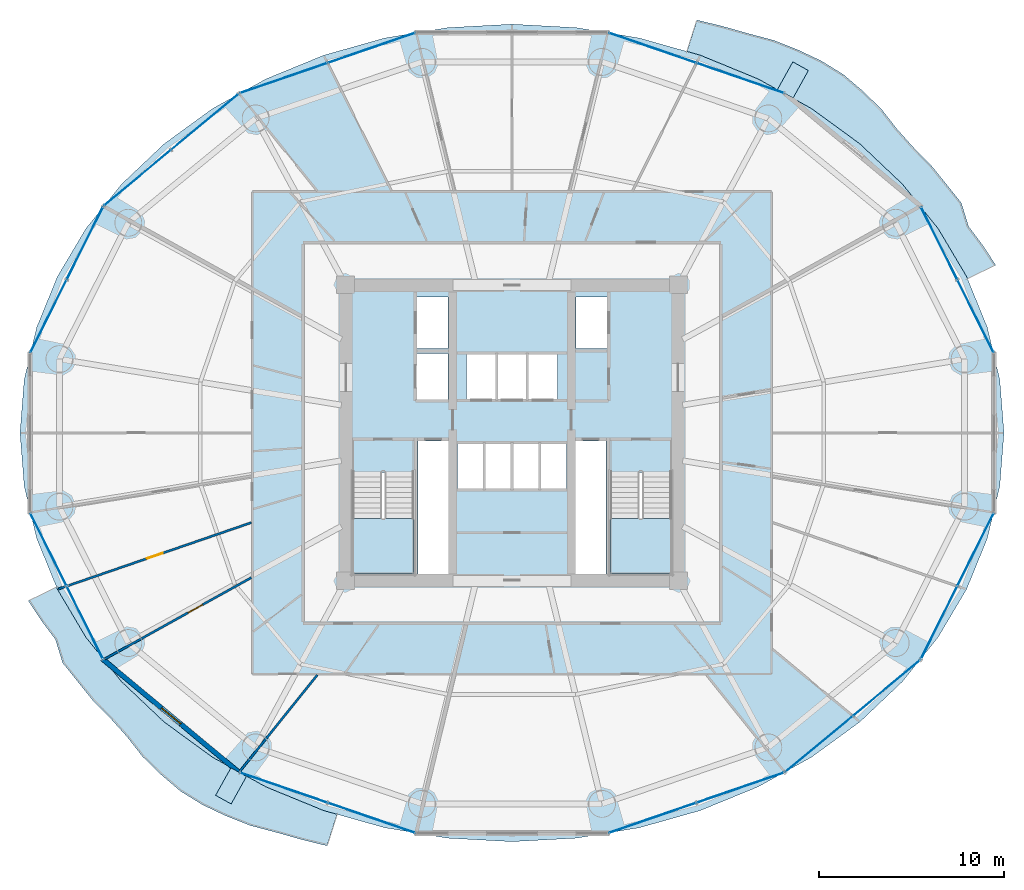
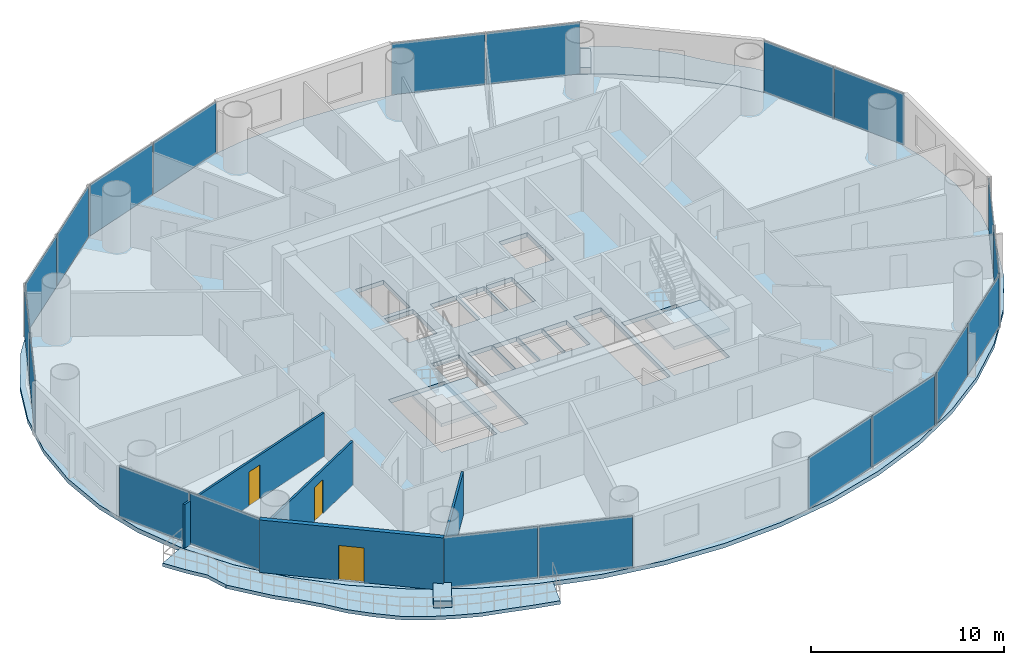
# One storey, part 21 of 29: 20 plates, 7 slabs, 4 walls, 3 doors, 3 openings, 12 elements without a shape of their own.
"""IFC4 building model written with IfcOpenShell, lengths in metres."""

from ifc_helpers import new_model, si_unit, direction, frame, frame_2d, origin, origin_2d, place, context, subcontext, project, spatial, polyline, rectangle, outline, extrude, source, transform, mapped, material, layer, layer_set, type_object, element, fill, aggregate, save


model = new_model("IFC4")

# Units and contexts
model_context = context("Model", 3, precision=1e-05, world=origin(), true_north=direction((-0.2419218956, 0.970295726276)))
body_context = subcontext(model_context, "Body", "Model", "MODEL_VIEW")
ifc_project = project(units=[si_unit("LENGTHUNIT", "METRE"), si_unit("AREAUNIT", "SQUARE_METRE"), si_unit("VOLUMEUNIT", "CUBIC_METRE"), si_unit("PLANEANGLEUNIT", "RADIAN"), si_unit("MASSUNIT", "GRAM", prefix="KILO")], contexts=[model_context])

# Site, building, storey
site_placement = place(None, origin())
site = spatial("IfcSite", under=ifc_project, at=site_placement, CompositionType="ELEMENT")
building_placement = place(site_placement, origin())
building = spatial("IfcBuilding", under=site, at=building_placement, Name="Cobrevalo Terracotta Tower", CompositionType="ELEMENT")
storey_placement = place(building_placement, frame((0.0, 0.0, 90.60009765625)))
storey = spatial("IfcBuildingStorey", under=building, at=storey_placement, Name="L23", CompositionType="ELEMENT", Elevation=90.60009765625)

# Stair, slab
ifc_material_1 = material(Name="Concrete C50", Category="concrete")
stair_type = type_object("IfcStairType", Name="Core protected escape dogleg stair 1600", PredefinedType="HALF_TURN_STAIR", material=ifc_material_1)
stair_1_placement = place(storey_placement, origin())
stair_1 = element("IfcStair", 1, at=stair_1_placement, inside=storey, type_object=stair_type, Name="L23 Protected exit stair ST-1", PredefinedType="HALF_TURN_STAIR")
ifc_layer_1 = layer(ifc_material_1, 0.199951171875)
ifc_layer_set_1 = layer_set([ifc_layer_1], Name="Concrete C50")
slab_type_1 = type_object("IfcSlabType", Name="Reinforced Concrete Stair Landing 200", PredefinedType="LANDING", material=ifc_layer_set_1)
slab_1_placement = place(storey_placement, frame((0.0, 0.0, 1.599853515625)))
slab_1 = element("IfcSlab", 2, at=slab_1_placement, type_object=slab_type_1, Name="ST-1 landing 1", PredefinedType="LANDING", context=body_context, shape_type="SweptSolid", body=[
    extrude(outline(polyline([(29.375, 22.179931640625), (29.375, 19.175048828125), (32.695068359375, 19.175048828125), (32.695068359375, 22.179931640625), (29.375, 22.179931640625)])), origin(), (0.0, 0.0, 1.0), 0.199951171875),
])
aggregate(stair_1, [slab_1])

stair_2_placement = place(storey_placement, origin())
stair_2 = element("IfcStair", 3, at=stair_2_placement, inside=storey, type_object=stair_type, Name="L23 Protected exit stair ST-2", PredefinedType="HALF_TURN_STAIR")
slab_2_placement = place(storey_placement, frame((0.0, 0.0, 1.599853515625)))
slab_2 = element("IfcSlab", 4, at=slab_2_placement, type_object=slab_type_1, Name="ST-2 landing 1", PredefinedType="LANDING", context=body_context, shape_type="SweptSolid", body=[
    extrude(outline(polyline([(43.304931640625, 22.179931640625), (43.304931640625, 19.175048828125), (46.625, 19.175048828125), (46.625, 22.179931640625), (43.304931640625, 22.179931640625)])), origin(), (0.0, 0.0, 1.0), 0.199951171875),
])
aggregate(stair_2, [slab_2])

# Slabs
ifc_material_2 = material(Name="Concrete C45", Category="concrete")
ifc_layer_2 = layer(ifc_material_2, 0.219970703125)
ifc_layer_set_2 = layer_set([ifc_layer_2], Name="Concrete C45")
slab_type_2 = type_object("IfcSlabType", Name="Spiralling cantilevered balcony lobe slab 220 mm", PredefinedType="FLOOR", material=ifc_layer_set_2)
slab_3_placement = place(storey_placement, frame((0.0, 0.0, -0.22021484375)))
element("IfcSlab", 5, at=slab_3_placement, inside=storey, type_object=slab_type_2, Name="L23 spiralling arc balcony slab lobe 1", PredefinedType="FLOOR", context=body_context, shape_type="SweptSolid", body=[
    extrude(outline(polyline([(64.153076171875, 35.872314453125), (63.4521484375, 36.940185546875), (62.685546875, 37.959228515625), (62.290771484375, 39.238037109375), (61.47216796875, 40.259765625), (60.650634765625, 41.276611328125), (59.717529296875, 42.21923828125), (58.822265625, 43.216796875), (57.974853515625, 44.29931640625), (56.97900390625, 45.2705078125), (55.918701171875, 46.17529296875), (54.722900390625, 46.91259765625), (53.442626953125, 47.517333984375), (52.128662109375, 48.033447265625), (50.738525390625, 48.400390625), (49.375244140625, 48.787109375), (47.998046875, 49.123779296875), (47.45947265625, 47.4228515625), (48.18017578125, 47.219482421875), (51.301025390625, 45.94091796875), (54.1943359375, 44.334716796875), (56.810546875, 42.428466796875), (59.104736328125, 40.2548828125), (61.0380859375, 37.85107421875), (62.5771484375, 35.258056640625), (62.630615234375, 35.126708984375), (64.153076171875, 35.872314453125)])), origin(), (0.0, 0.0, 1.0), 0.22021484375),
])
slab_4_placement = place(storey_placement, frame((0.0, 0.0, -0.22021484375)))
element("IfcSlab", 6, at=slab_4_placement, inside=storey, type_object=slab_type_2, Name="L23 spiralling arc balcony slab lobe 2", PredefinedType="FLOOR", context=body_context, shape_type="SweptSolid", body=[
    extrude(outline(polyline([(11.846923828125, 17.727783203125), (12.5478515625, 16.659912109375), (13.314453125, 15.640869140625), (13.709228515625, 14.362060546875), (14.52783203125, 13.340087890625), (15.349365234375, 12.3232421875), (16.282470703125, 11.380859375), (17.177734375, 10.383056640625), (18.025146484375, 9.30078125), (19.02099609375, 8.32958984375), (20.081298828125, 7.424560546875), (21.277099609375, 6.6875), (22.557373046875, 6.082763671875), (23.871337890625, 5.56640625), (25.261474609375, 5.19970703125), (26.624755859375, 4.812744140625), (28.001953125, 4.47607421875), (28.54052734375, 6.17724609375), (27.81982421875, 6.38037109375), (24.698974609375, 7.6591796875), (21.8056640625, 9.265380859375), (19.189453125, 11.171630859375), (16.895263671875, 13.34521484375), (14.9619140625, 15.7490234375), (13.4228515625, 18.342041015625), (13.369384765625, 18.47314453125), (11.846923828125, 17.727783203125)])), origin(), (0.0, 0.0, 1.0), 0.22021484375),
])
ifc_material_3 = material(Name="Precast concrete C45", Category="concrete")
ifc_layer_3 = layer(ifc_material_3, 0.419921875)
ifc_layer_set_3 = layer_set([ifc_layer_3], Name="Precast concrete C45")
slab_type_3 = type_object("IfcSlabType", Name="Structural tree planter trough base 420 mm", PredefinedType="USERDEFINED", material=ifc_layer_set_3)
slab_5_placement = place(storey_placement, origin())
element("IfcSlab", 7, at=slab_5_placement, inside=storey, type_object=slab_type_3, Name="L23 structural tree planter trough 1", ObjectType="PLANTER", PredefinedType="USERDEFINED", context=body_context, shape_type="SweptSolid", body=[
    extrude(outline(polyline([(53.196533203125, 44.908447265625), (54.022705078125, 46.394287109375), (53.18359375, 46.86083984375), (52.357666015625, 45.375), (53.196533203125, 44.908447265625)])), origin(), (0.0, 0.0, 1.0), 0.419921875),
])
slab_6_placement = place(storey_placement, origin())
element("IfcSlab", 8, at=slab_6_placement, inside=storey, type_object=slab_type_3, Name="L23 structural tree planter trough 2", ObjectType="PLANTER", PredefinedType="USERDEFINED", context=body_context, shape_type="SweptSolid", body=[
    extrude(outline(polyline([(22.803466796875, 8.69140625), (21.977294921875, 7.20556640625), (22.81640625, 6.7392578125), (23.642333984375, 8.22509765625), (22.803466796875, 8.69140625)])), origin(), (0.0, 0.0, 1.0), 0.419921875),
])
ifc_layer_4 = layer(ifc_material_1, 0.27490234375)
ifc_layer_set_4 = layer_set([ifc_layer_4], Name="Concrete C50")
slab_type_4 = type_object("IfcSlabType", Name="Zone Z2 elliptical floor plate 275 mm", PredefinedType="FLOOR", material=ifc_layer_set_4)
slab_7_placement = place(storey_placement, frame((0.0, 0.0, -0.275146484375)))
element("IfcSlab", 9, at=slab_7_placement, inside=storey, type_object=slab_type_4, Name="L23 indoor elliptical floor slab", PredefinedType="FLOOR", context=body_context, shape_type="SweptSolid", body=[
    extrude(outline(polyline([(64.372314453125, 23.915283203125), (63.693603515625, 21.080078125), (62.5751953125, 18.3427734375), (61.036376953125, 15.75), (59.103271484375, 13.346435546875), (56.80908203125, 11.1728515625), (54.193115234375, 9.266845703125), (51.300048828125, 7.660888671875), (48.179443359375, 6.38232421875), (44.884521484375, 5.453125), (41.471923828125, 4.88916015625), (38.0, 4.699951171875), (34.528076171875, 4.88916015625), (31.115478515625, 5.453125), (27.820556640625, 6.38232421875), (24.699951171875, 7.660888671875), (21.806884765625, 9.266845703125), (19.19091796875, 11.1728515625), (16.896728515625, 13.346435546875), (14.963623046875, 15.75), (13.4248046875, 18.3427734375), (12.306396484375, 21.080078125), (11.627685546875, 23.915283203125), (11.39990234375, 26.800048828125), (11.627685546875, 29.6845703125), (12.306396484375, 32.52001953125), (13.4248046875, 35.25732421875), (14.963623046875, 37.85009765625), (16.896728515625, 40.253662109375), (19.19091796875, 42.427001953125), (21.806884765625, 44.3330078125), (24.699951171875, 45.939208984375), (27.820556640625, 47.2177734375), (31.115478515625, 48.14697265625), (34.528076171875, 48.7109375), (38.0, 48.89990234375), (41.471923828125, 48.7109375), (44.884521484375, 48.14697265625), (48.179443359375, 47.2177734375), (51.300048828125, 45.939208984375), (54.193115234375, 44.3330078125), (56.80908203125, 42.427001953125), (59.103271484375, 40.253662109375), (61.036376953125, 37.85009765625), (62.5751953125, 35.25732421875), (63.693603515625, 32.52001953125), (64.372314453125, 29.6845703125), (64.60009765625, 26.800048828125), (64.372314453125, 23.915283203125)]), holes=[polyline([(32.695068359375, 19.175048828125), (32.695068359375, 24.659912109375), (29.375, 24.659912109375), (29.375, 19.175048828125), (32.695068359375, 19.175048828125)]), polyline([(34.574951171875, 19.175048828125), (34.574951171875, 26.360107421875), (32.919921875, 26.360107421875), (32.919921875, 19.175048828125), (34.574951171875, 19.175048828125)]), polyline([(36.47998046875, 23.800048828125), (36.47998046875, 26.25), (35.050048828125, 26.25), (35.050048828125, 23.800048828125), (36.47998046875, 23.800048828125)]), polyline([(37.9599609375, 23.800048828125), (37.9599609375, 26.25), (36.530029296875, 26.25), (36.530029296875, 23.800048828125), (37.9599609375, 23.800048828125)]), polyline([(37.1201171875, 28.60009765625), (37.1201171875, 31.050048828125), (35.550048828125, 31.050048828125), (35.550048828125, 28.60009765625), (37.1201171875, 28.60009765625)]), polyline([(34.550048828125, 28.60009765625), (34.550048828125, 31.10009765625), (32.85009765625, 31.10009765625), (32.85009765625, 28.60009765625), (34.550048828125, 28.60009765625)]), polyline([(34.550048828125, 31.35009765625), (34.550048828125, 34.14990234375), (32.85009765625, 34.14990234375), (32.85009765625, 31.35009765625), (34.550048828125, 31.35009765625)]), polyline([(46.625, 19.175048828125), (46.625, 24.659912109375), (43.304931640625, 24.659912109375), (43.304931640625, 19.175048828125), (46.625, 19.175048828125)]), polyline([(43.080078125, 19.175048828125), (43.080078125, 26.360107421875), (41.425048828125, 26.360107421875), (41.425048828125, 19.175048828125), (43.080078125, 19.175048828125)]), polyline([(39.469970703125, 23.800048828125), (39.469970703125, 26.25), (38.0400390625, 26.25), (38.0400390625, 23.800048828125), (39.469970703125, 23.800048828125)]), polyline([(40.949951171875, 23.800048828125), (40.949951171875, 26.25), (39.52001953125, 26.25), (39.52001953125, 23.800048828125), (40.949951171875, 23.800048828125)]), polyline([(38.780029296875, 28.60009765625), (38.780029296875, 31.050048828125), (37.219970703125, 31.050048828125), (37.219970703125, 28.60009765625), (38.780029296875, 28.60009765625)]), polyline([(40.449951171875, 28.60009765625), (40.449951171875, 31.050048828125), (38.8798828125, 31.050048828125), (38.8798828125, 28.60009765625), (40.449951171875, 28.60009765625)]), polyline([(43.14990234375, 31.35009765625), (43.14990234375, 34.14990234375), (41.449951171875, 34.14990234375), (41.449951171875, 31.35009765625), (43.14990234375, 31.35009765625)])]), origin(), (0.0, 0.0, 1.0), 0.275146484375),
])

# Curtain wall, plates
ifc_material_4 = material(Name="Anodized aluminium", Category="aluminium")
curtain_wall_type = type_object("IfcCurtainWallType", Name="Lower-tower unitised acoustic low-E curtain wall CW-U1", PredefinedType="NOTDEFINED", material=ifc_material_4)
curtain_wall_1_placement = place(storey_placement, origin())
curtain_wall_1 = element("IfcCurtainWall", 10, at=curtain_wall_1_placement, inside=storey, type_object=curtain_wall_type, Name="L23 curtain wall CW-L23-S03", PredefinedType="NOTDEFINED")
ifc_material_5 = material(Name="Solar-control low-E double glazing", Category="glass")
ifc_layer_5 = layer(ifc_material_5, 0.028076171875)
ifc_layer_set_5 = layer_set([ifc_layer_5], Name="Solar-control low-E double glazing")
plate_type = type_object("IfcPlateType", Name="Tower solar-control low-E vision glass panel 28 mm", PredefinedType="CURTAIN_PANEL", material=ifc_layer_set_5)
shared_shape_1 = source(origin(), body_context, "Body", "SweptSolid", [
    extrude(rectangle(XDim=4.944580078125, YDim=0.035888671875, at=origin_2d()), origin(), (0.0, 0.0, 1.0), 3.2451171875),
])
plate_1_placement = place(storey_placement, frame((50.34814453125, 45.98095703125, 0.039794921875), z_axis=(0.0, 0.0, 1.0), x_axis=(-0.945596395206, 0.325342062104, 0.0)))
plate_1 = element("IfcPlate", 11, at=plate_1_placement, type_object=plate_type, Name="CW-L23-S03 glazing panel B01", PredefinedType="CURTAIN_PANEL", context=body_context, shape_type="MappedRepresentation", body=[
    mapped(shared_shape_1, transform((0.0, 0.0, 0.0), scale=1.0)),
])
plate_2_placement = place(storey_placement, frame((45.596923828125, 47.615478515625, 0.039794921875), z_axis=(0.0, 0.0, 1.0), x_axis=(-0.945596395206, 0.325342062104, 0.0)))
plate_2 = element("IfcPlate", 12, at=plate_2_placement, type_object=plate_type, Name="CW-L23-S03 glazing panel B02", PredefinedType="CURTAIN_PANEL", context=body_context, shape_type="MappedRepresentation", body=[
    mapped(shared_shape_1, transform((0.0, 0.0, 0.0), scale=1.0)),
])
aggregate(curtain_wall_1, [plate_1, plate_2])

curtain_wall_2_placement = place(storey_placement, origin())
curtain_wall_2 = element("IfcCurtainWall", 13, at=curtain_wall_2_placement, inside=storey, type_object=curtain_wall_type, Name="L23 curtain wall CW-L23-S05", PredefinedType="NOTDEFINED")
plate_3_placement = place(storey_placement, frame((30.403076171875, 47.615478515625, 0.039794921875), z_axis=(0.0, 0.0, 1.0), x_axis=(-0.945596395206, -0.325342062104, 0.0)))
plate_3 = element("IfcPlate", 14, at=plate_3_placement, type_object=plate_type, Name="CW-L23-S05 glazing panel B01", PredefinedType="CURTAIN_PANEL", context=body_context, shape_type="MappedRepresentation", body=[
    mapped(shared_shape_1, transform((0.0, 0.0, 0.0), scale=1.0)),
])
plate_4_placement = place(storey_placement, frame((25.65185546875, 45.98095703125, 0.039794921875), z_axis=(0.0, 0.0, 1.0), x_axis=(-0.945596395206, -0.325342062104, 0.0)))
plate_4 = element("IfcPlate", 15, at=plate_4_placement, type_object=plate_type, Name="CW-L23-S05 glazing panel B02", PredefinedType="CURTAIN_PANEL", context=body_context, shape_type="MappedRepresentation", body=[
    mapped(shared_shape_1, transform((0.0, 0.0, 0.0), scale=1.0)),
])
aggregate(curtain_wall_2, [plate_3, plate_4])

curtain_wall_3_placement = place(storey_placement, origin())
curtain_wall_3 = element("IfcCurtainWall", 16, at=curtain_wall_3_placement, inside=storey, type_object=curtain_wall_type, Name="L23 curtain wall CW-L23-S11", PredefinedType="NOTDEFINED")
plate_5_placement = place(storey_placement, frame((25.65185546875, 7.619140625, 0.039794921875), z_axis=(0.0, 0.0, 1.0), x_axis=(0.945596395206, -0.325342062104, 0.0)))
plate_5 = element("IfcPlate", 17, at=plate_5_placement, type_object=plate_type, Name="CW-L23-S11 glazing panel B01", PredefinedType="CURTAIN_PANEL", context=body_context, shape_type="MappedRepresentation", body=[
    mapped(shared_shape_1, transform((0.0, 0.0, 0.0), scale=1.0)),
])
plate_6_placement = place(storey_placement, frame((30.403076171875, 5.984375, 0.039794921875), z_axis=(0.0, 0.0, 1.0), x_axis=(0.945596395206, -0.325342062104, 0.0)))
plate_6 = element("IfcPlate", 18, at=plate_6_placement, type_object=plate_type, Name="CW-L23-S11 glazing panel B02", PredefinedType="CURTAIN_PANEL", context=body_context, shape_type="MappedRepresentation", body=[
    mapped(shared_shape_1, transform((0.0, 0.0, 0.0), scale=1.0)),
])
aggregate(curtain_wall_3, [plate_5, plate_6])

curtain_wall_4_placement = place(storey_placement, origin())
curtain_wall_4 = element("IfcCurtainWall", 19, at=curtain_wall_4_placement, inside=storey, type_object=curtain_wall_type, Name="L23 curtain wall CW-L23-S13", PredefinedType="NOTDEFINED")
plate_7_placement = place(storey_placement, frame((45.596923828125, 5.984375, 0.039794921875), z_axis=(0.0, 0.0, 1.0), x_axis=(0.945596395206, 0.325342062104, 0.0)))
plate_7 = element("IfcPlate", 20, at=plate_7_placement, type_object=plate_type, Name="CW-L23-S13 glazing panel B01", PredefinedType="CURTAIN_PANEL", context=body_context, shape_type="MappedRepresentation", body=[
    mapped(shared_shape_1, transform((0.0, 0.0, 0.0), scale=1.0)),
])
plate_8_placement = place(storey_placement, frame((50.34814453125, 7.619140625, 0.039794921875), z_axis=(0.0, 0.0, 1.0), x_axis=(0.945596395206, 0.325342062104, 0.0)))
plate_8 = element("IfcPlate", 21, at=plate_8_placement, type_object=plate_type, Name="CW-L23-S13 glazing panel B02", PredefinedType="CURTAIN_PANEL", context=body_context, shape_type="MappedRepresentation", body=[
    mapped(shared_shape_1, transform((0.0, 0.0, 0.0), scale=1.0)),
])
aggregate(curtain_wall_4, [plate_7, plate_8])

curtain_wall_5_placement = place(storey_placement, origin())
curtain_wall_5 = element("IfcCurtainWall", 22, at=curtain_wall_5_placement, inside=storey, type_object=curtain_wall_type, Name="L23 curtain wall CW-L23-S06", PredefinedType="NOTDEFINED")
shared_shape_2 = source(origin(), body_context, "Body", "SweptSolid", [
    extrude(rectangle(XDim=4.64501953125, YDim=0.035888671875, at=origin_2d()), origin(), (0.0, 0.0, 1.0), 3.2451171875),
])
plate_9_placement = place(storey_placement, frame((21.390380859375, 43.615478515625, 0.039794921875), z_axis=(0.0, 0.0, 1.0), x_axis=(-0.769241221277, -0.638958483384, 0.0)))
plate_9 = element("IfcPlate", 23, at=plate_9_placement, type_object=plate_type, Name="CW-L23-S06 glazing panel B01", PredefinedType="CURTAIN_PANEL", context=body_context, shape_type="MappedRepresentation", body=[
    mapped(shared_shape_2, transform((0.0, 0.0, 0.0), scale=1.0)),
])
plate_10_placement = place(storey_placement, frame((17.755859375, 40.596435546875, 0.039794921875), z_axis=(0.0, 0.0, 1.0), x_axis=(-0.769241221277, -0.638958483384, 0.0)))
plate_10 = element("IfcPlate", 24, at=plate_10_placement, type_object=plate_type, Name="CW-L23-S06 glazing panel B02", PredefinedType="CURTAIN_PANEL", context=body_context, shape_type="MappedRepresentation", body=[
    mapped(shared_shape_2, transform((0.0, 0.0, 0.0), scale=1.0)),
])
aggregate(curtain_wall_5, [plate_9, plate_10])

curtain_wall_6_placement = place(storey_placement, origin())
curtain_wall_6 = element("IfcCurtainWall", 25, at=curtain_wall_6_placement, inside=storey, type_object=curtain_wall_type, Name="L23 curtain wall CW-L23-S14", PredefinedType="NOTDEFINED")
plate_11_placement = place(storey_placement, frame((54.609619140625, 9.984619140625, 0.039794921875), z_axis=(0.0, 0.0, 1.0), x_axis=(0.769241221277, 0.638958483384, 0.0)))
plate_11 = element("IfcPlate", 26, at=plate_11_placement, type_object=plate_type, Name="CW-L23-S14 glazing panel B01", PredefinedType="CURTAIN_PANEL", context=body_context, shape_type="MappedRepresentation", body=[
    mapped(shared_shape_2, transform((0.0, 0.0, 0.0), scale=1.0)),
])
plate_12_placement = place(storey_placement, frame((58.244140625, 13.00341796875, 0.039794921875), z_axis=(0.0, 0.0, 1.0), x_axis=(0.769241221277, 0.638958483384, 0.0)))
plate_12 = element("IfcPlate", 27, at=plate_12_placement, type_object=plate_type, Name="CW-L23-S14 glazing panel B02", PredefinedType="CURTAIN_PANEL", context=body_context, shape_type="MappedRepresentation", body=[
    mapped(shared_shape_2, transform((0.0, 0.0, 0.0), scale=1.0)),
])
aggregate(curtain_wall_6, [plate_11, plate_12])

curtain_wall_7_placement = place(storey_placement, origin())
curtain_wall_7 = element("IfcCurtainWall", 28, at=curtain_wall_7_placement, inside=storey, type_object=curtain_wall_type, Name="L23 curtain wall CW-L23-S01", PredefinedType="NOTDEFINED")
shared_shape_3 = source(origin(), body_context, "Body", "SweptSolid", [
    extrude(rectangle(XDim=4.3251953125, YDim=0.035888671875, at=origin_2d()), origin(), (0.0, 0.0, 1.0), 3.2451171875),
])
plate_13_placement = place(storey_placement, frame((63.05859375, 33.112548828125, 0.039794921875), z_axis=(0.0, 0.0, 1.0), x_axis=(-0.446261852127, 0.894902430065, 0.0)))
plate_13 = element("IfcPlate", 29, at=plate_13_placement, type_object=plate_type, Name="CW-L23-S01 glazing panel B01", PredefinedType="CURTAIN_PANEL", context=body_context, shape_type="MappedRepresentation", body=[
    mapped(shared_shape_3, transform((0.0, 0.0, 0.0), scale=1.0)),
])
plate_14_placement = place(storey_placement, frame((61.093017578125, 37.0546875, 0.039794921875), z_axis=(0.0, 0.0, 1.0), x_axis=(-0.446261852127, 0.894902430065, 0.0)))
plate_14 = element("IfcPlate", 30, at=plate_14_placement, type_object=plate_type, Name="CW-L23-S01 glazing panel B02", PredefinedType="CURTAIN_PANEL", context=body_context, shape_type="MappedRepresentation", body=[
    mapped(shared_shape_3, transform((0.0, 0.0, 0.0), scale=1.0)),
])
aggregate(curtain_wall_7, [plate_13, plate_14])

curtain_wall_8_placement = place(storey_placement, origin())
curtain_wall_8 = element("IfcCurtainWall", 31, at=curtain_wall_8_placement, inside=storey, type_object=curtain_wall_type, Name="L23 curtain wall CW-L23-S07", PredefinedType="NOTDEFINED")
plate_15_placement = place(storey_placement, frame((14.906982421875, 37.0546875, 0.039794921875), z_axis=(0.0, 0.0, 1.0), x_axis=(-0.446261852127, -0.894902430065, 0.0)))
plate_15 = element("IfcPlate", 32, at=plate_15_placement, type_object=plate_type, Name="CW-L23-S07 glazing panel B01", PredefinedType="CURTAIN_PANEL", context=body_context, shape_type="MappedRepresentation", body=[
    mapped(shared_shape_3, transform((0.0, 0.0, 0.0), scale=1.0)),
])
plate_16_placement = place(storey_placement, frame((12.94140625, 33.112548828125, 0.039794921875), z_axis=(0.0, 0.0, 1.0), x_axis=(-0.446261852127, -0.894902430065, 0.0)))
plate_16 = element("IfcPlate", 33, at=plate_16_placement, type_object=plate_type, Name="CW-L23-S07 glazing panel B02", PredefinedType="CURTAIN_PANEL", context=body_context, shape_type="MappedRepresentation", body=[
    mapped(shared_shape_3, transform((0.0, 0.0, 0.0), scale=1.0)),
])
aggregate(curtain_wall_8, [plate_15, plate_16])

curtain_wall_9_placement = place(storey_placement, origin())
curtain_wall_9 = element("IfcCurtainWall", 34, at=curtain_wall_9_placement, inside=storey, type_object=curtain_wall_type, Name="L23 curtain wall CW-L23-S09", PredefinedType="NOTDEFINED")
plate_17_placement = place(storey_placement, frame((12.94140625, 20.487548828125, 0.039794921875), z_axis=(0.0, 0.0, 1.0), x_axis=(0.446261852127, -0.894902430065, 0.0)))
plate_17 = element("IfcPlate", 35, at=plate_17_placement, type_object=plate_type, Name="CW-L23-S09 glazing panel B01", PredefinedType="CURTAIN_PANEL", context=body_context, shape_type="MappedRepresentation", body=[
    mapped(shared_shape_3, transform((0.0, 0.0, 0.0), scale=1.0)),
])
plate_18_placement = place(storey_placement, frame((14.906982421875, 16.54541015625, 0.039794921875), z_axis=(0.0, 0.0, 1.0), x_axis=(0.446261852127, -0.894902430065, 0.0)))
plate_18 = element("IfcPlate", 36, at=plate_18_placement, type_object=plate_type, Name="CW-L23-S09 glazing panel B02", PredefinedType="CURTAIN_PANEL", context=body_context, shape_type="MappedRepresentation", body=[
    mapped(shared_shape_3, transform((0.0, 0.0, 0.0), scale=1.0)),
])
aggregate(curtain_wall_9, [plate_17, plate_18])

curtain_wall_10_placement = place(storey_placement, origin())
curtain_wall_10 = element("IfcCurtainWall", 37, at=curtain_wall_10_placement, inside=storey, type_object=curtain_wall_type, Name="L23 curtain wall CW-L23-S15", PredefinedType="NOTDEFINED")
plate_19_placement = place(storey_placement, frame((61.093017578125, 16.54541015625, 0.039794921875), z_axis=(0.0, 0.0, 1.0), x_axis=(0.446261852127, 0.894902430065, 0.0)))
plate_19 = element("IfcPlate", 38, at=plate_19_placement, type_object=plate_type, Name="CW-L23-S15 glazing panel B01", PredefinedType="CURTAIN_PANEL", context=body_context, shape_type="MappedRepresentation", body=[
    mapped(shared_shape_3, transform((0.0, 0.0, 0.0), scale=1.0)),
])
plate_20_placement = place(storey_placement, frame((63.05859375, 20.487548828125, 0.039794921875), z_axis=(0.0, 0.0, 1.0), x_axis=(0.446261852127, 0.894902430065, 0.0)))
plate_20 = element("IfcPlate", 39, at=plate_20_placement, type_object=plate_type, Name="CW-L23-S15 glazing panel B02", PredefinedType="CURTAIN_PANEL", context=body_context, shape_type="MappedRepresentation", body=[
    mapped(shared_shape_3, transform((0.0, 0.0, 0.0), scale=1.0)),
])
aggregate(curtain_wall_10, [plate_19, plate_20])

# Wall, opening, door
ifc_material_6 = material(Name="Autoclaved aerated concrete block", Category="concrete")
ifc_layer_6 = layer(ifc_material_6, 0.260009765625)
ifc_layer_set_6 = layer_set([ifc_layer_6], Name="Autoclaved aerated concrete block")
wall_type_1 = type_object("IfcWallType", Name="Recessed balcony loggia insulated exterior wall 260 mm", PredefinedType="SOLIDWALL", material=ifc_layer_set_6)
wall_1_placement = place(storey_placement, frame((15.84619140625, 14.589599609375, 0.0), z_axis=(0.0, 0.0, 1.0), x_axis=(0.769254958887, -0.638941944333, 0.0)))
wall_1 = element("IfcWall", 40, at=wall_1_placement, inside=storey, type_object=wall_type_1, Name="L23 balcony loggia wall S10", PredefinedType="SOLIDWALL", context=body_context, shape_type="SweptSolid", body=[
    extrude(rectangle(XDim=9.689697265625, YDim=0.260009765625, at=frame_2d((4.8447265625, 0.0))), origin(), (0.0, 0.0, 1.0), 3.324951171875),
])
opening_1_placement = place(wall_1_placement, frame((4.169921875, 0.0, 0.0)))
opening_1 = element("IfcOpeningElement", 41, at=opening_1_placement, cuts=wall_1, Name="Opening ED-05", PredefinedType="OPENING", context=body_context, shape_type="SweptSolid", body=[
    extrude(rectangle(XDim=1.35009765625, YDim=2.199951171875, at=frame_2d((0.675048828125, 1.10009765625))), frame((0.0, 0.14013671875, 0.0), z_axis=(0.0, -1.0, 0.0), x_axis=(1.0, 0.0, 0.0)), (0.0, 0.0, 1.0), 0.280029296875),
])
ifc_material_7 = material(Name="Anodized aluminium and laminated glass", Category="aluminium")
door_type_1 = type_object("IfcDoorType", Name="Suite balcony acoustic glazed terrace door 1350x2200", OperationType="NOTDEFINED", PredefinedType="DOOR", material=ifc_material_7)
shared_shape_4 = source(origin(), body_context, "Body", "SweptSolid", [
    extrude(rectangle(XDim=1.35009765625, YDim=2.199951171875, at=frame_2d((0.675048828125, 1.10009765625))), frame((0.0, 0.02490234375, 0.0), z_axis=(0.0, -1.0, 0.0), x_axis=(1.0, 0.0, 0.0)), (0.0, 0.0, 1.0), 0.050048828125),
])
door_1_placement = place(opening_1_placement, frame((1.35009765625, 0.0, 0.0), z_axis=(0.0, 0.0, 1.0), x_axis=(-1.0, 0.0, 0.0)))
door_1 = element("IfcDoor", 42, at=door_1_placement, inside=storey, type_object=door_type_1, Name="L23 glazed balcony terrace door 2", OperationType="SINGLE_SWING_RIGHT", OverallHeight=2.199951171875, OverallWidth=1.35009765625, PredefinedType="DOOR", context=body_context, shape_type="MappedRepresentation", body=[
    mapped(shared_shape_4, transform((0.0, 0.0, 0.0), scale=1.0)),
])
fill(opening_1, door_1)

ifc_material_8 = material(Name="Gypsum board on steel stud", Category="steel")
ifc_layer_7 = layer(ifc_material_8, 0.1201171875)
ifc_layer_set_7 = layer_set([ifc_layer_7], Name="Gypsum board on steel stud")
wall_type_2 = type_object("IfcWallType", Name="Residential internal acoustic stud partition 120 mm", PredefinedType="PARTITIONING", material=ifc_layer_set_7)
wall_2_placement = place(storey_placement, frame((23.90625, 21.94970703125, 0.0), z_axis=(0.0, 0.0, 1.0), x_axis=(-0.945573120726, -0.32540970078, 0.0)))
wall_2 = element("IfcWall", 43, at=wall_2_placement, inside=storey, type_object=wall_type_2, Name="L23 interior partition IW-L23-U2-ORAD2M2", PredefinedType="PARTITIONING", context=body_context, shape_type="SweptSolid", body=[
    extrude(rectangle(XDim=11.02197265625, YDim=0.1201171875, at=frame_2d((5.510986328125, 0.0))), origin(), (0.0, 0.0, 1.0), 2.766845703125),
])
opening_2_placement = place(wall_2_placement, frame((5.06103515625, 0.0, 0.0)))
opening_2 = element("IfcOpeningElement", 44, at=opening_2_placement, cuts=wall_2, Name="Opening ID-12", PredefinedType="OPENING", context=body_context, shape_type="SweptSolid", body=[
    extrude(rectangle(XDim=0.89990234375, YDim=2.14990234375, at=frame_2d((0.449951171875, 1.074951171875))), frame((0.0, 0.070068359375, 0.0), z_axis=(0.0, -1.0, 0.0), x_axis=(1.0, 0.0, 0.0)), (0.0, 0.0, 1.0), 0.14013671875),
])
ifc_material_9 = material(Name="Engineered timber", Category="wood")
door_type_2 = type_object("IfcDoorType", Name="Internal residence & suite timber door 900x2150", OperationType="NOTDEFINED", PredefinedType="DOOR", material=ifc_material_9)
shared_shape_5 = source(origin(), body_context, "Body", "SweptSolid", [
    extrude(rectangle(XDim=0.89990234375, YDim=2.14990234375, at=frame_2d((0.449951171875, 1.074951171875))), frame((0.0, 0.02490234375, 0.0), z_axis=(0.0, -1.0, 0.0), x_axis=(1.0, 0.0, 0.0)), (0.0, 0.0, 1.0), 0.050048828125),
])
door_2_placement = place(opening_2_placement, frame((0.89990234375, 0.0, 0.0), z_axis=(0.0, 0.0, 1.0), x_axis=(-1.0, 0.0, 0.0)))
door_2 = element("IfcDoor", 45, at=door_2_placement, inside=storey, type_object=door_type_2, Name="Flat L23B Principal Guest Bedroom internal door", OperationType="SINGLE_SWING_RIGHT", OverallHeight=2.14990234375, OverallWidth=0.89990234375, PredefinedType="DOOR", context=body_context, shape_type="MappedRepresentation", body=[
    mapped(shared_shape_5, transform((0.0, 0.0, 0.0), scale=1.0)),
])
fill(opening_2, door_2)

wall_3_placement = place(storey_placement, frame((23.910888671875, 18.978515625, 0.0), z_axis=(0.0, 0.0, 1.0), x_axis=(-0.874313476423, -0.485361664066, 0.0)))
wall_3 = element("IfcWall", 46, at=wall_3_placement, inside=storey, type_object=wall_type_2, Name="L23 interior partition IW-L23-U2-ORAD2", PredefinedType="PARTITIONING", context=body_context, shape_type="SweptSolid", body=[
    extrude(rectangle(XDim=9.065673828125, YDim=0.1201171875, at=frame_2d((4.53271484375, 0.0))), origin(), (0.0, 0.0, 1.0), 2.766845703125),
])
opening_3_placement = place(wall_3_placement, frame((3.015625, 0.0, 0.0)))
opening_3 = element("IfcOpeningElement", 47, at=opening_3_placement, cuts=wall_3, Name="Opening ID-12", PredefinedType="OPENING", context=body_context, shape_type="SweptSolid", body=[
    extrude(rectangle(XDim=0.89990234375, YDim=2.14990234375, at=frame_2d((0.449951171875, 1.074951171875))), frame((0.0, 0.070068359375, 0.0), z_axis=(0.0, -1.0, 0.0), x_axis=(1.0, 0.0, 0.0)), (0.0, 0.0, 1.0), 0.14013671875),
])
door_3_placement = place(opening_3_placement, frame((0.89990234375, 0.0, 0.0), z_axis=(0.0, 0.0, 1.0), x_axis=(-1.0, 0.0, 0.0)))
door_3 = element("IfcDoor", 48, at=door_3_placement, inside=storey, type_object=door_type_2, Name="Flat L23B North Bedroom internal door", OperationType="SINGLE_SWING_LEFT", OverallHeight=2.14990234375, OverallWidth=0.89990234375, PredefinedType="DOOR", context=body_context, shape_type="MappedRepresentation", body=[
    mapped(shared_shape_5, transform((0.0, 0.0, 0.0), scale=1.0)),
])
fill(opening_3, door_3)

# Wall
wall_4_placement = place(storey_placement, frame((27.47802734375, 13.716796875, 0.0), z_axis=(0.0, 0.0, 1.0), x_axis=(-0.626707979732, -0.77925419995, 0.0)))
element("IfcWall", 49, at=wall_4_placement, inside=storey, type_object=wall_type_2, Name="L23 interior partition IW-L23-U2-ORAD3", PredefinedType="PARTITIONING", context=body_context, shape_type="SweptSolid", body=[
    extrude(rectangle(XDim=6.6787109375, YDim=0.1201171875, at=frame_2d((3.33935546875, 0.0))), origin(), (0.0, 0.0, 1.0), 2.766845703125),
])

save(model, "model.ifc")
